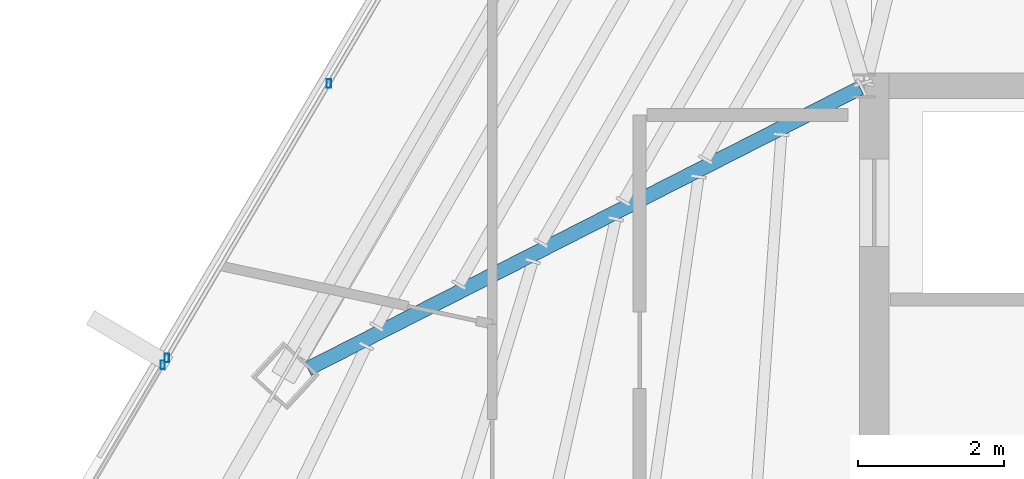
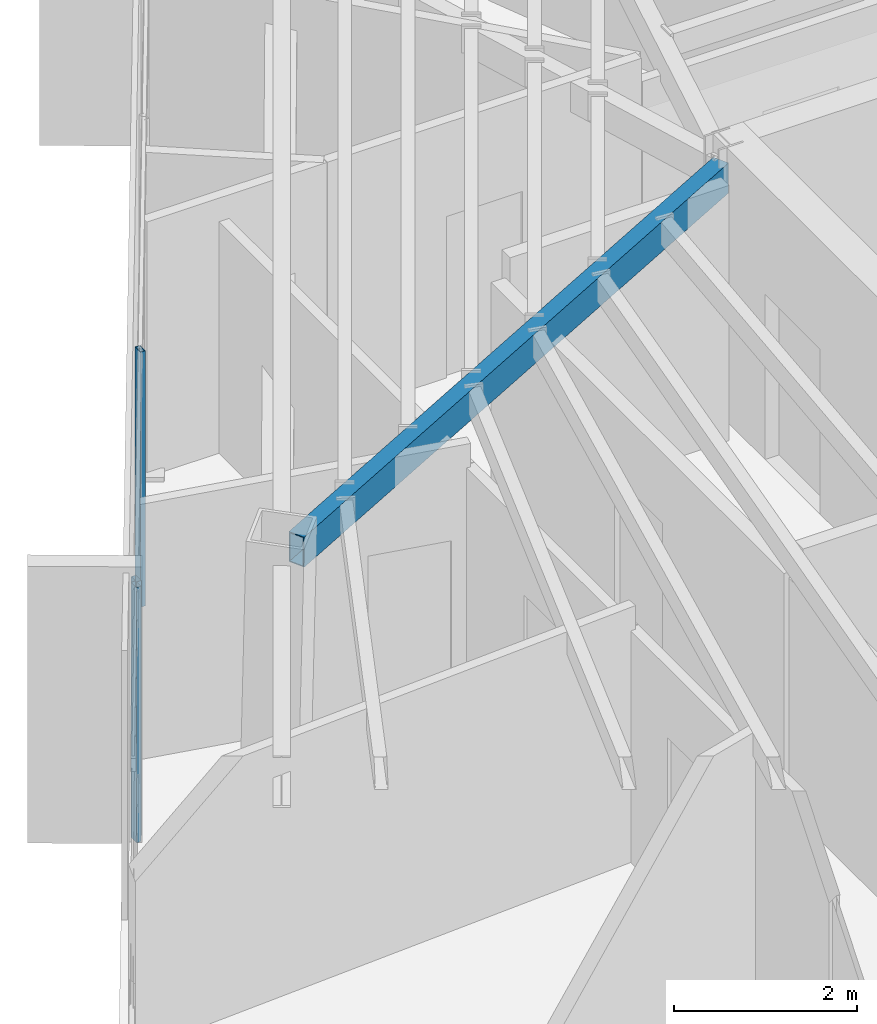
# One storey, part 15 of 48: 3 members, 1 beam, 2 elements without a shape of their own.
"""IFC4 building model written with IfcOpenShell, lengths in metres."""

from ifc_helpers import new_model, si_unit, direction, frame, origin, origin_2d, place, context, subcontext, project, spatial, hollow_rectangle, extrude, source, transform, mapped, material, material_profile, profile_set, type_object, type_shapes, element, aggregate, save


model = new_model("IFC4")

# Units and contexts
model_context = context("Model", 3, precision=1e-05, world=origin(), true_north=direction((0.0, 1.0)))
body_context = subcontext(model_context, "Body", "Model", "MODEL_VIEW")
ifc_project = project(units=[si_unit("LENGTHUNIT", "METRE"), si_unit("AREAUNIT", "SQUARE_METRE"), si_unit("VOLUMEUNIT", "CUBIC_METRE"), si_unit("PLANEANGLEUNIT", "RADIAN"), si_unit("MASSUNIT", "GRAM", prefix="KILO")], contexts=[model_context])

# Site, building, storey
site_placement = place(None, origin())
site = spatial("IfcSite", under=ifc_project, at=site_placement, CompositionType="ELEMENT")
building_placement = place(site_placement, origin())
building = spatial("IfcBuilding", under=site, at=building_placement, Name="Caelisora Broadcast Tower", CompositionType="ELEMENT")
storey_placement = place(building_placement, frame((0.0, 0.0, 270.0)))
storey = spatial("IfcBuildingStorey", under=building, at=storey_placement, Name="L71", CompositionType="ELEMENT", Elevation=270.0)

# Beam
ifc_material_1 = material(Name="Steel Grade 350 (AS/NZS 1163 C350L0)", Category="steel")
ifc_material_profile_1 = material_profile(ifc_material_1, hollow_rectangle(XDim=0.199951171875, YDim=0.39990234375, WallThickness=0.012451171875, at=origin_2d()), Name="Steel Grade 350 (AS/NZS 1163 C350L0)")
ifc_profile_set_1 = profile_set([ifc_material_profile_1], Name="Steel Grade 350 (AS/NZS 1163 C350L0)")
beam_type = type_object("IfcBeamType", Name="PG07", PredefinedType="BEAM", material=ifc_profile_set_1)
shared_shape_1 = source(origin(), body_context, "Body", "SweptSolid", [
    extrude(hollow_rectangle(XDim=0.199951171875, YDim=0.39990234375, WallThickness=0.012451171875, at=origin_2d()), origin(), (0.0, 0.0, 1.0), 8.5029296875),
])
type_shapes(beam_type, [shared_shape_1])
beam_placement = place(storey_placement, frame((30.446533203125, 29.972900390625, 3.199951171875), z_axis=(-0.891310601634, -0.453393219418, 0.0), x_axis=(0.453393219418, -0.891310601634, 0.0)))
element("IfcBeam", 1, at=beam_placement, inside=storey, type_object=beam_type, Name="L71 beam PG07", PredefinedType="BEAM", context=body_context, shape_type="MappedRepresentation", body=[
    mapped(shared_shape_1, transform((0.0, 0.0, 0.0), scale=1.0)),
])

# Curtain wall, member
ifc_material_2 = material(Name="Unitised Aluminium and Low-E Glass Curtain Wall", Category="glass")
curtain_wall_type_1 = type_object("IfcCurtainWallType", Name="CW-Z5", PredefinedType="NOTDEFINED", material=ifc_material_2)
curtain_wall_1_placement = place(storey_placement, origin())
curtain_wall_1 = element("IfcCurtainWall", 2, at=curtain_wall_1_placement, inside=storey, type_object=curtain_wall_type_1, Name="L71 curtain wall CW-Z5", PredefinedType="NOTDEFINED")
ifc_material_3 = material(Name="Aluminium 6063-T6 Anodised Terracotta Bronze", Category="aluminium")
ifc_material_profile_2 = material_profile(ifc_material_3, hollow_rectangle(XDim=0.06005859375, YDim=0.1201171875, WallThickness=0.0029296875, at=origin_2d()), Name="Aluminium 6063-T6 Anodised Terracotta Bronze")
ifc_profile_set_2 = profile_set([ifc_material_profile_2], Name="Aluminium 6063-T6 Anodised Terracotta Bronze")
member_type = type_object("IfcMemberType", Name="CWM-04", PredefinedType="MULLION", material=ifc_profile_set_2)
shared_shape_2 = source(origin(), body_context, "Body", "SweptSolid", [
    extrude(hollow_rectangle(XDim=0.06005859375, YDim=0.1201171875, WallThickness=0.0029296875, at=origin_2d()), origin(), (0.0, 0.0, 1.0), 3.39990234375),
])
type_shapes(member_type, [shared_shape_2])
member_1_placement = place(storey_placement, frame((20.87646484375, 26.172119140625, 0.0), z_axis=(0.0, 0.0, 1.0), x_axis=(1.0, 0.0, 0.0)))
member_1 = element("IfcMember", 3, at=member_1_placement, type_object=member_type, Name="L71-CW-B09 mullion #3", PredefinedType="MULLION", context=body_context, shape_type="MappedRepresentation", body=[
    mapped(shared_shape_2, transform((0.0, 0.0, 0.0), scale=1.0)),
])
aggregate(curtain_wall_1, [member_1])

# Curtain wall, members
ifc_material_4 = material(Name="Unitised Aluminium Insulated Shadow-Box Spandrel Curtain Wall", Category="aluminium")
curtain_wall_type_2 = type_object("IfcCurtainWallType", Name="CW-SP3", PredefinedType="NOTDEFINED", material=ifc_material_4)
curtain_wall_2_placement = place(storey_placement, origin())
curtain_wall_2 = element("IfcCurtainWall", 4, at=curtain_wall_2_placement, inside=storey, type_object=curtain_wall_type_2, Name="L71 curtain wall CW-SP3", PredefinedType="NOTDEFINED")
member_2_placement = place(storey_placement, frame((20.9326171875, 26.266845703125, 0.0), z_axis=(0.0, 0.0, 1.0), x_axis=(1.0, 0.0, 0.0)))
member_2 = element("IfcMember", 5, at=member_2_placement, type_object=member_type, Name="L71-CW-B10 mullion #0", PredefinedType="MULLION", context=body_context, shape_type="MappedRepresentation", body=[
    mapped(shared_shape_2, transform((0.0, 0.0, 0.0), scale=1.0)),
])
member_3_placement = place(storey_placement, frame((23.15673828125, 30.032470703125, 0.0), z_axis=(0.0, 0.0, 1.0), x_axis=(1.0, 0.0, 0.0)))
member_3 = element("IfcMember", 6, at=member_3_placement, type_object=member_type, Name="L71-CW-B10 mullion #1", PredefinedType="MULLION", context=body_context, shape_type="MappedRepresentation", body=[
    mapped(shared_shape_2, transform((0.0, 0.0, 0.0), scale=1.0)),
])
aggregate(curtain_wall_2, [member_2, member_3])

save(model, "model.ifc")
